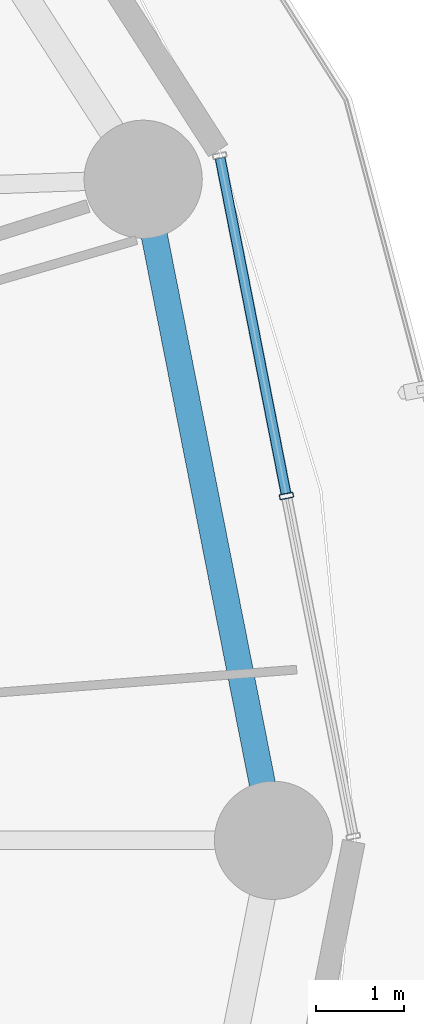
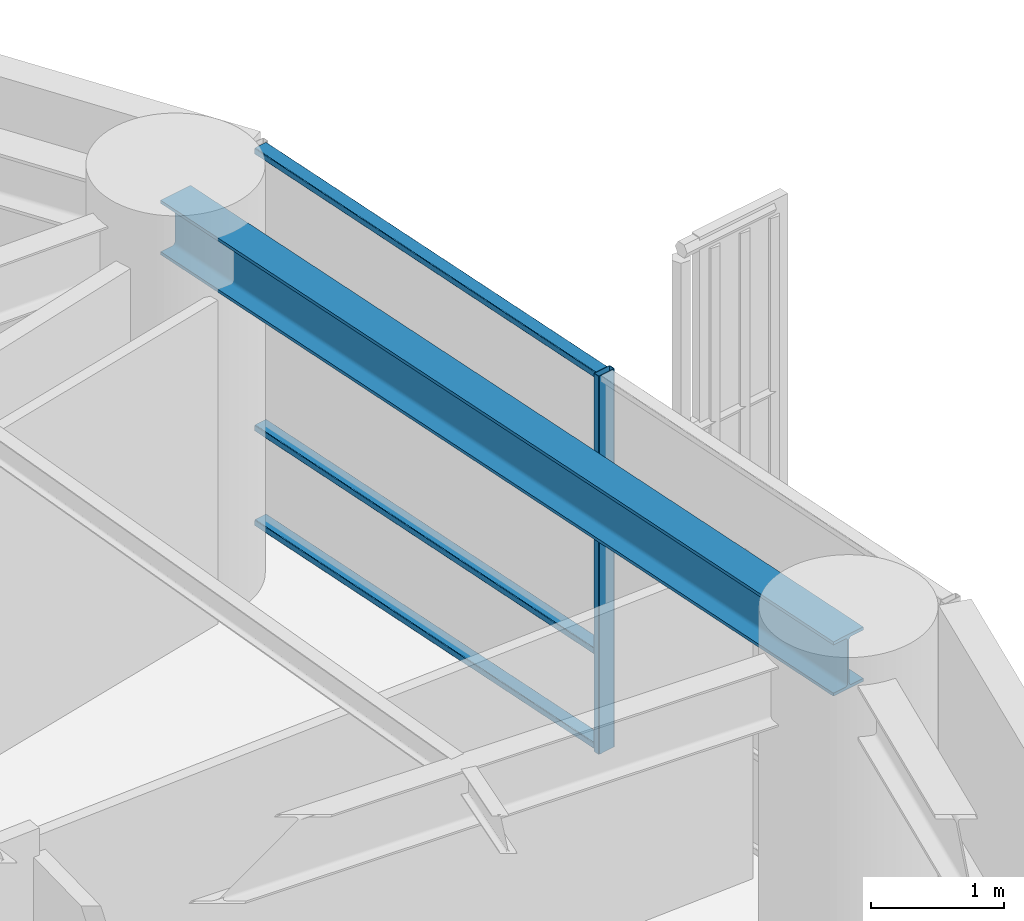
# One storey, part 17 of 37: 4 members, 1 beam, 1 element without a shape of its own.
"""IFC4 building model written with IfcOpenShell, lengths in metres."""

from ifc_helpers import new_model, si_unit, direction, frame, origin, origin_2d, place, context, subcontext, project, spatial, hollow_rectangle, i_section, extrude, material, layer, layer_set, material_profile, profile_set, type_object, element, aggregate, save


model = new_model("IFC4")

# Units and contexts
model_context = context("Model", 3, precision=1e-05, world=origin(), true_north=direction((0.0, 1.0)))
body_context = subcontext(model_context, "Body", "Model", "MODEL_VIEW")
ifc_project = project(units=[si_unit("LENGTHUNIT", "METRE"), si_unit("AREAUNIT", "SQUARE_METRE"), si_unit("VOLUMEUNIT", "CUBIC_METRE"), si_unit("PLANEANGLEUNIT", "RADIAN"), si_unit("MASSUNIT", "GRAM", prefix="KILO")], contexts=[model_context])

# Site, building, storey
site_placement = place(None, origin())
site = spatial("IfcSite", under=ifc_project, at=site_placement, CompositionType="ELEMENT")
building_placement = place(site_placement, origin())
building = spatial("IfcBuilding", under=site, at=building_placement, Name="Kelanora Arch Commons", CompositionType="ELEMENT")
storey_placement = place(building_placement, frame((0.0, 0.0, 113.85009765625)))
storey = spatial("IfcBuildingStorey", under=building, at=storey_placement, Name="L29", CompositionType="ELEMENT", Elevation=113.85009765625)

# Beam
ifc_material_1 = material(Name="Steel S355", Category="steel")
ifc_material_profile_1 = material_profile(ifc_material_1, i_section(OverallWidth=0.300048828125, OverallDepth=0.5, WebThickness=0.014404296875, FlangeThickness=0.028076171875, FilletRadius=0.027099609375, at=origin_2d()), Name="HEB500")
ifc_profile_set_1 = profile_set([ifc_material_profile_1], Name="Steel S355")
beam_type = type_object("IfcBeamType", Name="BM-SPN-Z2", PredefinedType="SPANDREL", material=ifc_profile_set_1)
beam_placement = place(storey_placement, frame((98.679931640625, 58.0, 3.239990234375), z_axis=(-0.19335825777, 0.981128220037, 0.0), x_axis=(-0.981128220037, -0.19335825777, 0.0)))
element("IfcBeam", 1, at=beam_placement, inside=storey, type_object=beam_type, Name="Perimeter Spandrel Beam BS-00 L29", PredefinedType="SPANDREL", context=body_context, shape_type="SweptSolid", body=[
    extrude(i_section(OverallWidth=0.300048828125, OverallDepth=0.5, WebThickness=0.014404296875, FlangeThickness=0.028076171875, FilletRadius=0.027099609375, at=origin_2d()), origin(), (0.0, 0.0, 1.0), 7.697021484375),
])

# Curtain wall, members
ifc_material_2 = material(Name="Terracotta ceramic-fritted low-E glass and aluminium", Category="masonry")
ifc_layer = layer(ifc_material_2, 0.159912109375)
ifc_layer_set = layer_set([ifc_layer], Name="Terracotta ceramic-fritted low-E glass and aluminium")
curtain_wall_type = type_object("IfcCurtainWallType", Name="CW-SYS-01", PredefinedType="NOTDEFINED", material=ifc_layer_set)
curtain_wall_placement = place(storey_placement, origin())
curtain_wall = element("IfcCurtainWall", 2, at=curtain_wall_placement, inside=storey, type_object=curtain_wall_type, Name="Unitised Curtain Wall L29-B00", PredefinedType="NOTDEFINED")
ifc_material_3 = material(Name="Powder-coated aluminium terracotta", Category="masonry")
ifc_material_profile_2 = material_profile(ifc_material_3, hollow_rectangle(XDim=0.159912109375, YDim=0.06005859375, WallThickness=0.0048828125, InnerFilletRadius=0.0048828125, OuterFilletRadius=0.010009765625, at=origin_2d()), Name="CWM160x60")
ifc_profile_set_2 = profile_set([ifc_material_profile_2], Name="Powder-coated aluminium terracotta")
member_type_1 = type_object("IfcMemberType", Name="CWM-STD", PredefinedType="MULLION", material=ifc_profile_set_2)
member_1_placement = place(storey_placement, frame((98.828125, 61.933349609375, 0.0), z_axis=(0.0, 0.0, 1.0), x_axis=(-0.981280311646, -0.192584916272, 0.0)))
member_1 = element("IfcMember", 3, at=member_1_placement, type_object=member_type_1, Name="CW-01 mullion 2", PredefinedType="MULLION", context=body_context, shape_type="SweptSolid", body=[
    extrude(hollow_rectangle(XDim=0.159912109375, YDim=0.06005859375, WallThickness=0.0048828125, InnerFilletRadius=0.0048828125, OuterFilletRadius=0.010009765625, at=origin_2d()), origin(), (0.0, 0.0, 1.0), 3.474853515625),
])
ifc_material_profile_3 = material_profile(ifc_material_3, hollow_rectangle(XDim=0.1201171875, YDim=0.06005859375, WallThickness=0.0048828125, InnerFilletRadius=0.0048828125, OuterFilletRadius=0.010009765625, at=origin_2d()), Name="CWT120x60")
ifc_profile_set_3 = profile_set([ifc_material_profile_3], Name="Powder-coated aluminium terracotta")
member_type_2 = type_object("IfcMemberType", Name="CWT-STD", PredefinedType="USERDEFINED", material=ifc_profile_set_3)
member_2_placement = place(storey_placement, frame((98.822265625, 61.962646484375, 0.02978515625), z_axis=(-0.192578614785, 0.981281548348, 0.0), x_axis=(-0.981281548348, -0.192578614785, 0.0)))
member_2 = element("IfcMember", 4, at=member_2_placement, type_object=member_type_2, Name="CW-01 transom 2.1", ObjectType="TRANSOM", PredefinedType="USERDEFINED", context=body_context, shape_type="SweptSolid", body=[
    extrude(hollow_rectangle(XDim=0.1201171875, YDim=0.06005859375, WallThickness=0.0048828125, InnerFilletRadius=0.0048828125, OuterFilletRadius=0.010009765625, at=origin_2d()), origin(), (0.0, 0.0, 1.0), 3.9033203125),
])
member_3_placement = place(storey_placement, frame((98.822265625, 61.962646484375, 0.89990234375), z_axis=(-0.192578614785, 0.981281548348, 0.0), x_axis=(-0.981281548348, -0.192578614785, 0.0)))
member_3 = element("IfcMember", 5, at=member_3_placement, type_object=member_type_2, Name="CW-01 transom 2.2", ObjectType="TRANSOM", PredefinedType="USERDEFINED", context=body_context, shape_type="SweptSolid", body=[
    extrude(hollow_rectangle(XDim=0.1201171875, YDim=0.06005859375, WallThickness=0.0048828125, InnerFilletRadius=0.0048828125, OuterFilletRadius=0.010009765625, at=origin_2d()), origin(), (0.0, 0.0, 1.0), 3.9033203125),
])
member_4_placement = place(storey_placement, frame((98.822265625, 61.962646484375, 3.44482421875), z_axis=(-0.192578614785, 0.981281548348, 0.0), x_axis=(-0.981281548348, -0.192578614785, 0.0)))
member_4 = element("IfcMember", 6, at=member_4_placement, type_object=member_type_2, Name="CW-01 transom 2.3", ObjectType="TRANSOM", PredefinedType="USERDEFINED", context=body_context, shape_type="SweptSolid", body=[
    extrude(hollow_rectangle(XDim=0.1201171875, YDim=0.06005859375, WallThickness=0.0048828125, InnerFilletRadius=0.0048828125, OuterFilletRadius=0.010009765625, at=origin_2d()), origin(), (0.0, 0.0, 1.0), 3.9033203125),
])
aggregate(curtain_wall, [member_1, member_2, member_3, member_4])

save(model, "model.ifc")
